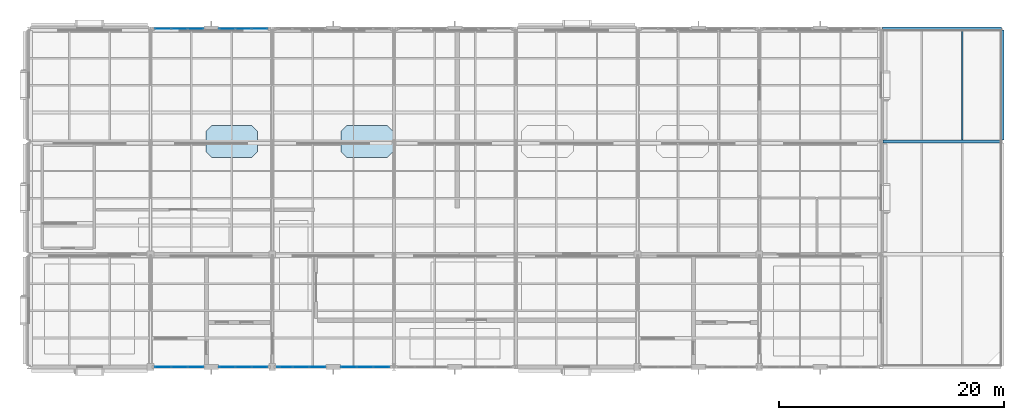
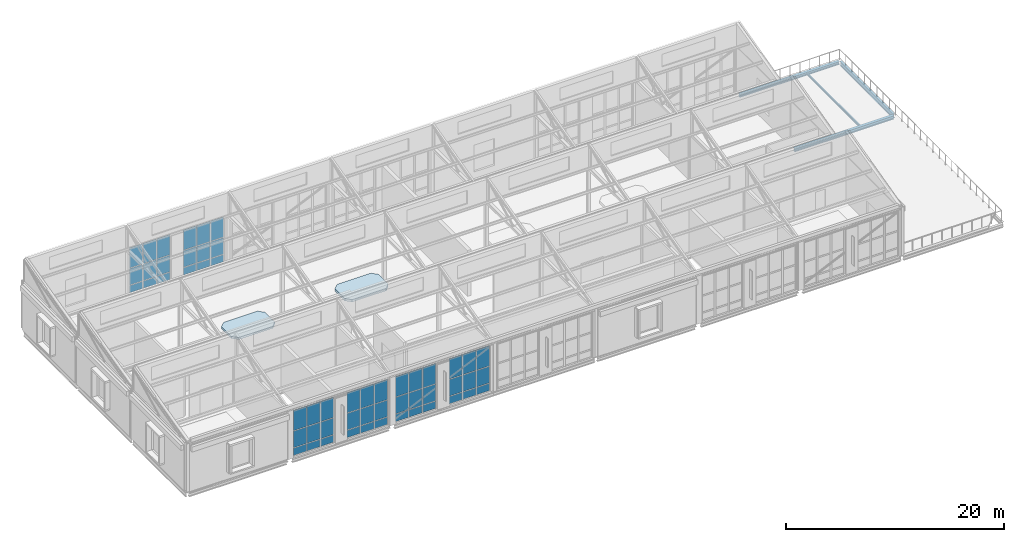
# One storey, part 31 of 49: 54 plates, 4 beams, 2 slabs, 6 elements without a shape of their own.
"""IFC4 building model written with IfcOpenShell, lengths in metres."""

from ifc_helpers import new_model, si_unit, direction, frame, origin, origin_2d, place, context, subcontext, project, spatial, polyline, rectangle, i_section, outline, extrude, material, layer, layer_set, material_profile, profile_set, type_object, element, aggregate, save


model = new_model("IFC4")

# Units and contexts
model_context = context("Model", 3, precision=1e-05, world=origin(), true_north=direction((0.0, 1.0)))
body_context = subcontext(model_context, "Body", "Model", "MODEL_VIEW")
ifc_project = project(units=[si_unit("LENGTHUNIT", "METRE"), si_unit("AREAUNIT", "SQUARE_METRE"), si_unit("VOLUMEUNIT", "CUBIC_METRE"), si_unit("PLANEANGLEUNIT", "RADIAN"), si_unit("MASSUNIT", "GRAM", prefix="KILO")], contexts=[model_context])

# Site, building, storey
site_placement = place(None, origin())
site = spatial("IfcSite", under=ifc_project, at=site_placement, CompositionType="ELEMENT")
building_placement = place(site_placement, origin())
building = spatial("IfcBuilding", under=site, at=building_placement, Name="Tasgan Crest Museum", CompositionType="ELEMENT")
storey_placement = place(building_placement, frame((0.0, 0.0, 28.800048828125)))
storey = spatial("IfcBuildingStorey", under=building, at=storey_placement, Name="L05", CompositionType="ELEMENT", Elevation=28.800048828125)

# Beams
ifc_material_1 = material(Name="Steel S355J2", Category="steel")
ifc_material_profile_1 = material_profile(ifc_material_1, i_section(OverallWidth=0.300048828125, OverallDepth=0.389892578125, WebThickness=0.010986328125, FlangeThickness=0.01904296875, FilletRadius=0.027099609375, at=origin_2d()), Name="HEA 400")
ifc_profile_set_1 = profile_set([ifc_material_profile_1], Name="Steel S355J2")
beam_type_1 = type_object("IfcBeamType", Name="BM-G-HEA400", PredefinedType="BEAM", material=ifc_profile_set_1)
beam_1_placement = place(storey_placement, frame((75.74609375, 102.0, -0.445068359375), z_axis=(1.0, 0.0, 0.0), x_axis=(0.0, 1.0, 0.0)))
element("IfcBeam", 1, at=beam_1_placement, inside=storey, type_object=beam_type_1, Name="Girder L05 L 75.6-86.4", PredefinedType="BEAM", context=body_context, shape_type="SweptSolid", body=[
    extrude(i_section(OverallWidth=0.300048828125, OverallDepth=0.389892578125, WebThickness=0.010986328125, FlangeThickness=0.01904296875, FilletRadius=0.027099609375, at=origin_2d()), origin(), (0.0, 0.0, 1.0), 10.5078125),
])
ifc_material_2 = material(Name="Steel S355J2", Category="steel")
ifc_material_profile_2 = material_profile(ifc_material_2, i_section(OverallWidth=0.300048828125, OverallDepth=0.340087890625, WebThickness=0.011962890625, FlangeThickness=0.021484375, FilletRadius=0.027099609375, at=origin_2d()), Name="HEB 340")
ifc_profile_set_2 = profile_set([ifc_material_profile_2], Name="Steel S355J2")
beam_type_2 = type_object("IfcBeamType", Name="BM-G-HEB340", PredefinedType="BEAM", material=ifc_profile_set_2)
beam_2_placement = place(storey_placement, frame((75.7060546875, 112.0, -0.420166015625), z_axis=(1.0, 0.0, 0.0), x_axis=(0.0, 1.0, 0.0)))
element("IfcBeam", 2, at=beam_2_placement, inside=storey, type_object=beam_type_2, Name="Girder L05 M 75.6-86.4", PredefinedType="BEAM", context=body_context, shape_type="SweptSolid", body=[
    extrude(i_section(OverallWidth=0.300048828125, OverallDepth=0.340087890625, WebThickness=0.011962890625, FlangeThickness=0.021484375, FilletRadius=0.027099609375, at=origin_2d()), origin(), (0.0, 0.0, 1.0), 10.587890625),
])
ifc_material_3 = material(Name="Steel S355J2", Category="steel")
ifc_material_profile_3 = material_profile(ifc_material_3, i_section(OverallWidth=0.199951171875, OverallDepth=0.5, WebThickness=0.01025390625, FlangeThickness=0.01611328125, FilletRadius=0.02099609375, at=origin_2d()), Name="IPE 500")
ifc_profile_set_3 = profile_set([ifc_material_profile_3], Name="Steel S355J2")
beam_type_3 = type_object("IfcBeamType", Name="BM-G-IPE500", PredefinedType="BEAM", material=ifc_profile_set_3)
beam_3_placement = place(storey_placement, frame((86.39990234375, 102.14990234375, -0.5), z_axis=(0.0, 1.0, 0.0), x_axis=(-1.0, 0.0, 0.0)))
element("IfcBeam", 3, at=beam_3_placement, inside=storey, type_object=beam_type_3, Name="Beam L05 9 102.0-112.0", PredefinedType="BEAM", context=body_context, shape_type="SweptSolid", body=[
    extrude(i_section(OverallWidth=0.199951171875, OverallDepth=0.5, WebThickness=0.01025390625, FlangeThickness=0.01611328125, FilletRadius=0.02099609375, at=origin_2d()), origin(), (0.0, 0.0, 1.0), 9.7451171875),
])
ifc_material_4 = material(Name="Steel S355J2", Category="steel")
ifc_material_profile_4 = material_profile(ifc_material_4, i_section(OverallWidth=0.1201171875, OverallDepth=0.239990234375, WebThickness=0.006103515625, FlangeThickness=0.009765625, FilletRadius=0.014892578125, at=origin_2d()), Name="IPE 240")
ifc_profile_set_4 = profile_set([ifc_material_profile_4], Name="Steel S355J2")
beam_type_4 = type_object("IfcBeamType", Name="BM-J-IPE240", PredefinedType="JOIST", material=ifc_profile_set_4)
beam_4_placement = place(storey_placement, frame((82.800048828125, 102.14501953125, -0.3701171875), z_axis=(0.0, 1.0, 0.0), x_axis=(-1.0, 0.0, 0.0)))
element("IfcBeam", 4, at=beam_4_placement, inside=storey, type_object=beam_type_4, Name="Secondary joist L05 X=82.8 Y=102.0-112.0", PredefinedType="JOIST", context=body_context, shape_type="SweptSolid", body=[
    extrude(i_section(OverallWidth=0.1201171875, OverallDepth=0.239990234375, WebThickness=0.006103515625, FlangeThickness=0.009765625, FilletRadius=0.014892578125, at=origin_2d()), origin(), (0.0, 0.0, 1.0), 9.7099609375),
])

# Curtain wall, plates
ifc_material_5 = material(Name="Triple-Glazed Aluminium Curtain Wall", Category="aluminium")
ifc_layer_1 = layer(ifc_material_5, 0.179931640625, Name="CW-CORE-STRIP-54")
ifc_layer_set_1 = layer_set([ifc_layer_1], Name="Triple-Glazed Aluminium Curtain Wall")
curtain_wall_type_1 = type_object("IfcCurtainWallType", Name="CW-CORE-STRIP-54", PredefinedType="NOTDEFINED", material=ifc_layer_set_1)
curtain_wall_1_placement = place(storey_placement, origin())
curtain_wall_1 = element("IfcCurtainWall", 5, at=curtain_wall_1_placement, inside=storey, type_object=curtain_wall_type_1, Name="Curtain wall L05 209", PredefinedType="NOTDEFINED")
ifc_material_6 = material(Name="Insulated Spandrel Glass", Category="glass")
ifc_layer_2 = layer(ifc_material_6, 0.052001953125, Name="CW-PANEL-SPANDREL")
ifc_layer_set_2 = layer_set([ifc_layer_2], Name="Insulated Spandrel Glass")
plate_type_1 = type_object("IfcPlateType", Name="CW-PANEL-SPANDREL", PredefinedType="CURTAIN_PANEL", material=ifc_layer_set_2)
plate_1_placement = place(storey_placement, frame((20.48828125, 112.0, 0.059814453125), z_axis=(0.0, 0.0, 1.0), x_axis=(-1.0, 0.0, 0.0)))
plate_1 = element("IfcPlate", 6, at=plate_1_placement, type_object=plate_type_1, Name="CW21 panel 1.1", PredefinedType="CURTAIN_PANEL", context=body_context, shape_type="SweptSolid", body=[
    extrude(rectangle(XDim=1.373291015625, YDim=0.028076171875, at=origin_2d()), origin(), (0.0, 0.0, 1.0), 0.81005859375),
])
plate_2_placement = place(storey_placement, frame((19.0400390625, 112.0, 0.059814453125), z_axis=(0.0, 0.0, 1.0), x_axis=(-1.0, 0.0, 0.0)))
plate_2 = element("IfcPlate", 7, at=plate_2_placement, type_object=plate_type_1, Name="CW21 panel 2.1", PredefinedType="CURTAIN_PANEL", context=body_context, shape_type="SweptSolid", body=[
    extrude(rectangle(XDim=1.4033203125, YDim=0.028076171875, at=origin_2d()), origin(), (0.0, 0.0, 1.0), 0.81005859375),
])
plate_3_placement = place(storey_placement, frame((17.591552734375, 112.0, 0.059814453125), z_axis=(0.0, 0.0, 1.0), x_axis=(-1.0, 0.0, 0.0)))
plate_3 = element("IfcPlate", 8, at=plate_3_placement, type_object=plate_type_1, Name="CW21 panel 3.1", PredefinedType="CURTAIN_PANEL", context=body_context, shape_type="SweptSolid", body=[
    extrude(rectangle(XDim=1.373291015625, YDim=0.028076171875, at=origin_2d()), origin(), (0.0, 0.0, 1.0), 0.81005859375),
])

curtain_wall_2_placement = place(storey_placement, origin())
curtain_wall_2 = element("IfcCurtainWall", 9, at=curtain_wall_2_placement, inside=storey, type_object=curtain_wall_type_1, Name="Curtain wall L05 210", PredefinedType="NOTDEFINED")
plate_4_placement = place(storey_placement, frame((14.808349609375, 112.0, 0.059814453125), z_axis=(0.0, 0.0, 1.0), x_axis=(-1.0, 0.0, 0.0)))
plate_4 = element("IfcPlate", 10, at=plate_4_placement, type_object=plate_type_1, Name="CW21 panel 1.1", PredefinedType="CURTAIN_PANEL", context=body_context, shape_type="SweptSolid", body=[
    extrude(rectangle(XDim=1.373291015625, YDim=0.028076171875, at=origin_2d()), origin(), (0.0, 0.0, 1.0), 0.81005859375),
])
plate_5_placement = place(storey_placement, frame((13.360107421875, 112.0, 0.059814453125), z_axis=(0.0, 0.0, 1.0), x_axis=(-1.0, 0.0, 0.0)))
plate_5 = element("IfcPlate", 11, at=plate_5_placement, type_object=plate_type_1, Name="CW21 panel 2.1", PredefinedType="CURTAIN_PANEL", context=body_context, shape_type="SweptSolid", body=[
    extrude(rectangle(XDim=1.4033203125, YDim=0.028076171875, at=origin_2d()), origin(), (0.0, 0.0, 1.0), 0.81005859375),
])
plate_6_placement = place(storey_placement, frame((11.91162109375, 112.0, 0.059814453125), z_axis=(0.0, 0.0, 1.0), x_axis=(-1.0, 0.0, 0.0)))
plate_6 = element("IfcPlate", 12, at=plate_6_placement, type_object=plate_type_1, Name="CW21 panel 3.1", PredefinedType="CURTAIN_PANEL", context=body_context, shape_type="SweptSolid", body=[
    extrude(rectangle(XDim=1.373291015625, YDim=0.028076171875, at=origin_2d()), origin(), (0.0, 0.0, 1.0), 0.81005859375),
])

curtain_wall_3_placement = place(storey_placement, origin())
curtain_wall_3 = element("IfcCurtainWall", 13, at=curtain_wall_3_placement, inside=storey, type_object=curtain_wall_type_1, Name="Curtain wall L05 211", PredefinedType="NOTDEFINED")
plate_7_placement = place(storey_placement, frame((11.91162109375, 82.0, 0.059814453125), z_axis=(0.0, 0.0, 1.0), x_axis=(1.0, 0.0, 0.0)))
plate_7 = element("IfcPlate", 14, at=plate_7_placement, type_object=plate_type_1, Name="CW21 panel 1.1", PredefinedType="CURTAIN_PANEL", context=body_context, shape_type="SweptSolid", body=[
    extrude(rectangle(XDim=1.373291015625, YDim=0.028076171875, at=origin_2d()), origin(), (0.0, 0.0, 1.0), 0.81005859375),
])
plate_8_placement = place(storey_placement, frame((13.360107421875, 82.0, 0.059814453125), z_axis=(0.0, 0.0, 1.0), x_axis=(1.0, 0.0, 0.0)))
plate_8 = element("IfcPlate", 15, at=plate_8_placement, type_object=plate_type_1, Name="CW21 panel 2.1", PredefinedType="CURTAIN_PANEL", context=body_context, shape_type="SweptSolid", body=[
    extrude(rectangle(XDim=1.4033203125, YDim=0.028076171875, at=origin_2d()), origin(), (0.0, 0.0, 1.0), 0.81005859375),
])
plate_9_placement = place(storey_placement, frame((14.808349609375, 82.0, 0.059814453125), z_axis=(0.0, 0.0, 1.0), x_axis=(1.0, 0.0, 0.0)))
plate_9 = element("IfcPlate", 16, at=plate_9_placement, type_object=plate_type_1, Name="CW21 panel 3.1", PredefinedType="CURTAIN_PANEL", context=body_context, shape_type="SweptSolid", body=[
    extrude(rectangle(XDim=1.373291015625, YDim=0.028076171875, at=origin_2d()), origin(), (0.0, 0.0, 1.0), 0.81005859375),
])

curtain_wall_4_placement = place(storey_placement, origin())
curtain_wall_4 = element("IfcCurtainWall", 17, at=curtain_wall_4_placement, inside=storey, type_object=curtain_wall_type_1, Name="Curtain wall L05 212", PredefinedType="NOTDEFINED")
plate_10_placement = place(storey_placement, frame((17.591552734375, 82.0, 0.059814453125), z_axis=(0.0, 0.0, 1.0), x_axis=(1.0, 0.0, 0.0)))
plate_10 = element("IfcPlate", 18, at=plate_10_placement, type_object=plate_type_1, Name="CW21 panel 1.1", PredefinedType="CURTAIN_PANEL", context=body_context, shape_type="SweptSolid", body=[
    extrude(rectangle(XDim=1.373291015625, YDim=0.028076171875, at=origin_2d()), origin(), (0.0, 0.0, 1.0), 0.81005859375),
])
plate_11_placement = place(storey_placement, frame((19.0400390625, 82.0, 0.059814453125), z_axis=(0.0, 0.0, 1.0), x_axis=(1.0, 0.0, 0.0)))
plate_11 = element("IfcPlate", 19, at=plate_11_placement, type_object=plate_type_1, Name="CW21 panel 2.1", PredefinedType="CURTAIN_PANEL", context=body_context, shape_type="SweptSolid", body=[
    extrude(rectangle(XDim=1.4033203125, YDim=0.028076171875, at=origin_2d()), origin(), (0.0, 0.0, 1.0), 0.81005859375),
])
plate_12_placement = place(storey_placement, frame((20.48828125, 82.0, 0.059814453125), z_axis=(0.0, 0.0, 1.0), x_axis=(1.0, 0.0, 0.0)))
plate_12 = element("IfcPlate", 20, at=plate_12_placement, type_object=plate_type_1, Name="CW21 panel 3.1", PredefinedType="CURTAIN_PANEL", context=body_context, shape_type="SweptSolid", body=[
    extrude(rectangle(XDim=1.373291015625, YDim=0.028076171875, at=origin_2d()), origin(), (0.0, 0.0, 1.0), 0.81005859375),
])

ifc_material_7 = material(Name="Triple-Glazed Aluminium Curtain Wall", Category="aluminium")
ifc_layer_3 = layer(ifc_material_7, 0.179931640625, Name="CW-GAL-X-54")
ifc_layer_set_3 = layer_set([ifc_layer_3], Name="Triple-Glazed Aluminium Curtain Wall")
curtain_wall_type_2 = type_object("IfcCurtainWallType", Name="CW-GAL-X-54", PredefinedType="NOTDEFINED", material=ifc_layer_set_3)
curtain_wall_5_placement = place(storey_placement, origin())
curtain_wall_5 = element("IfcCurtainWall", 21, at=curtain_wall_5_placement, inside=storey, type_object=curtain_wall_type_2, Name="Curtain wall L05 213", PredefinedType="NOTDEFINED")
plate_13_placement = place(storey_placement, frame((22.711669921875, 82.0, 0.059814453125), z_axis=(0.0, 0.0, 1.0), x_axis=(1.0, 0.0, 0.0)))
plate_13 = element("IfcPlate", 22, at=plate_13_placement, type_object=plate_type_1, Name="CW15 panel 1.1", PredefinedType="CURTAIN_PANEL", context=body_context, shape_type="SweptSolid", body=[
    extrude(rectangle(XDim=1.373291015625, YDim=0.028076171875, at=origin_2d()), origin(), (0.0, 0.0, 1.0), 0.81005859375),
])
plate_14_placement = place(storey_placement, frame((24.159912109375, 82.0, 0.059814453125), z_axis=(0.0, 0.0, 1.0), x_axis=(1.0, 0.0, 0.0)))
plate_14 = element("IfcPlate", 23, at=plate_14_placement, type_object=plate_type_1, Name="CW15 panel 2.1", PredefinedType="CURTAIN_PANEL", context=body_context, shape_type="SweptSolid", body=[
    extrude(rectangle(XDim=1.4033203125, YDim=0.028076171875, at=origin_2d()), origin(), (0.0, 0.0, 1.0), 0.81005859375),
])
plate_15_placement = place(storey_placement, frame((25.6083984375, 82.0, 0.059814453125), z_axis=(0.0, 0.0, 1.0), x_axis=(1.0, 0.0, 0.0)))
plate_15 = element("IfcPlate", 24, at=plate_15_placement, type_object=plate_type_1, Name="CW15 panel 3.1", PredefinedType="CURTAIN_PANEL", context=body_context, shape_type="SweptSolid", body=[
    extrude(rectangle(XDim=1.373291015625, YDim=0.028076171875, at=origin_2d()), origin(), (0.0, 0.0, 1.0), 0.81005859375),
])

curtain_wall_6_placement = place(storey_placement, origin())
curtain_wall_6 = element("IfcCurtainWall", 25, at=curtain_wall_6_placement, inside=storey, type_object=curtain_wall_type_2, Name="Curtain wall L05 214", PredefinedType="NOTDEFINED")
plate_16_placement = place(storey_placement, frame((28.3916015625, 82.0, 0.059814453125), z_axis=(0.0, 0.0, 1.0), x_axis=(1.0, 0.0, 0.0)))
plate_16 = element("IfcPlate", 26, at=plate_16_placement, type_object=plate_type_1, Name="CW15 panel 1.1", PredefinedType="CURTAIN_PANEL", context=body_context, shape_type="SweptSolid", body=[
    extrude(rectangle(XDim=1.373291015625, YDim=0.028076171875, at=origin_2d()), origin(), (0.0, 0.0, 1.0), 0.81005859375),
])
plate_17_placement = place(storey_placement, frame((29.840087890625, 82.0, 0.059814453125), z_axis=(0.0, 0.0, 1.0), x_axis=(1.0, 0.0, 0.0)))
plate_17 = element("IfcPlate", 27, at=plate_17_placement, type_object=plate_type_1, Name="CW15 panel 2.1", PredefinedType="CURTAIN_PANEL", context=body_context, shape_type="SweptSolid", body=[
    extrude(rectangle(XDim=1.4033203125, YDim=0.028076171875, at=origin_2d()), origin(), (0.0, 0.0, 1.0), 0.81005859375),
])
plate_18_placement = place(storey_placement, frame((31.288330078125, 82.0, 0.059814453125), z_axis=(0.0, 0.0, 1.0), x_axis=(1.0, 0.0, 0.0)))
plate_18 = element("IfcPlate", 28, at=plate_18_placement, type_object=plate_type_1, Name="CW15 panel 3.1", PredefinedType="CURTAIN_PANEL", context=body_context, shape_type="SweptSolid", body=[
    extrude(rectangle(XDim=1.373291015625, YDim=0.028076171875, at=origin_2d()), origin(), (0.0, 0.0, 1.0), 0.81005859375),
])

# Plate
ifc_material_8 = material(Name="Low-E Triple Glazing", Category="glass")
ifc_layer_4 = layer(ifc_material_8, 0.0439453125, Name="CW-PANEL-TRIPLE")
ifc_layer_set_4 = layer_set([ifc_layer_4], Name="Low-E Triple Glazing")
plate_type_2 = type_object("IfcPlateType", Name="CW-PANEL-TRIPLE", PredefinedType="CURTAIN_PANEL", material=ifc_layer_set_4)
plate_19_placement = place(storey_placement, frame((20.48828125, 112.0, 0.9296875), z_axis=(0.0, 0.0, 1.0), x_axis=(-1.0, 0.0, 0.0)))
plate_19 = element("IfcPlate", 29, at=plate_19_placement, type_object=plate_type_2, Name="CW21 panel 1.2", PredefinedType="CURTAIN_PANEL", context=body_context, shape_type="SweptSolid", body=[
    extrude(rectangle(XDim=1.373291015625, YDim=0.028076171875, at=origin_2d()), origin(), (0.0, 0.0, 1.0), 1.840087890625),
])

plate_20_placement = place(storey_placement, frame((20.48828125, 112.0, 2.829833984375), z_axis=(0.0, 0.0, 1.0), x_axis=(-1.0, 0.0, 0.0)))
plate_20 = element("IfcPlate", 30, at=plate_20_placement, type_object=plate_type_2, Name="CW21 panel 1.3", PredefinedType="CURTAIN_PANEL", context=body_context, shape_type="SweptSolid", body=[
    extrude(rectangle(XDim=1.373291015625, YDim=0.028076171875, at=origin_2d()), origin(), (0.0, 0.0, 1.0), 2.27001953125),
])

plate_21_placement = place(storey_placement, frame((19.0400390625, 112.0, 0.9296875), z_axis=(0.0, 0.0, 1.0), x_axis=(-1.0, 0.0, 0.0)))
plate_21 = element("IfcPlate", 31, at=plate_21_placement, type_object=plate_type_2, Name="CW21 panel 2.2", PredefinedType="CURTAIN_PANEL", context=body_context, shape_type="SweptSolid", body=[
    extrude(rectangle(XDim=1.4033203125, YDim=0.028076171875, at=origin_2d()), origin(), (0.0, 0.0, 1.0), 1.840087890625),
])

plate_22_placement = place(storey_placement, frame((19.0400390625, 112.0, 2.829833984375), z_axis=(0.0, 0.0, 1.0), x_axis=(-1.0, 0.0, 0.0)))
plate_22 = element("IfcPlate", 32, at=plate_22_placement, type_object=plate_type_2, Name="CW21 panel 2.3", PredefinedType="CURTAIN_PANEL", context=body_context, shape_type="SweptSolid", body=[
    extrude(rectangle(XDim=1.4033203125, YDim=0.028076171875, at=origin_2d()), origin(), (0.0, 0.0, 1.0), 2.27001953125),
])

plate_23_placement = place(storey_placement, frame((17.591552734375, 112.0, 0.9296875), z_axis=(0.0, 0.0, 1.0), x_axis=(-1.0, 0.0, 0.0)))
plate_23 = element("IfcPlate", 33, at=plate_23_placement, type_object=plate_type_2, Name="CW21 panel 3.2", PredefinedType="CURTAIN_PANEL", context=body_context, shape_type="SweptSolid", body=[
    extrude(rectangle(XDim=1.373291015625, YDim=0.028076171875, at=origin_2d()), origin(), (0.0, 0.0, 1.0), 1.840087890625),
])

plate_24_placement = place(storey_placement, frame((17.591552734375, 112.0, 2.829833984375), z_axis=(0.0, 0.0, 1.0), x_axis=(-1.0, 0.0, 0.0)))
plate_24 = element("IfcPlate", 34, at=plate_24_placement, type_object=plate_type_2, Name="CW21 panel 3.3", PredefinedType="CURTAIN_PANEL", context=body_context, shape_type="SweptSolid", body=[
    extrude(rectangle(XDim=1.373291015625, YDim=0.028076171875, at=origin_2d()), origin(), (0.0, 0.0, 1.0), 2.27001953125),
])

aggregate(curtain_wall_1, [plate_1, plate_19, plate_20, plate_2, plate_21, plate_22, plate_3, plate_23, plate_24])

plate_25_placement = place(storey_placement, frame((14.808349609375, 112.0, 0.9296875), z_axis=(0.0, 0.0, 1.0), x_axis=(-1.0, 0.0, 0.0)))
plate_25 = element("IfcPlate", 35, at=plate_25_placement, type_object=plate_type_2, Name="CW21 panel 1.2", PredefinedType="CURTAIN_PANEL", context=body_context, shape_type="SweptSolid", body=[
    extrude(rectangle(XDim=1.373291015625, YDim=0.028076171875, at=origin_2d()), origin(), (0.0, 0.0, 1.0), 1.840087890625),
])

plate_26_placement = place(storey_placement, frame((14.808349609375, 112.0, 2.829833984375), z_axis=(0.0, 0.0, 1.0), x_axis=(-1.0, 0.0, 0.0)))
plate_26 = element("IfcPlate", 36, at=plate_26_placement, type_object=plate_type_2, Name="CW21 panel 1.3", PredefinedType="CURTAIN_PANEL", context=body_context, shape_type="SweptSolid", body=[
    extrude(rectangle(XDim=1.373291015625, YDim=0.028076171875, at=origin_2d()), origin(), (0.0, 0.0, 1.0), 2.27001953125),
])

plate_27_placement = place(storey_placement, frame((13.360107421875, 112.0, 0.9296875), z_axis=(0.0, 0.0, 1.0), x_axis=(-1.0, 0.0, 0.0)))
plate_27 = element("IfcPlate", 37, at=plate_27_placement, type_object=plate_type_2, Name="CW21 panel 2.2", PredefinedType="CURTAIN_PANEL", context=body_context, shape_type="SweptSolid", body=[
    extrude(rectangle(XDim=1.4033203125, YDim=0.028076171875, at=origin_2d()), origin(), (0.0, 0.0, 1.0), 1.840087890625),
])

plate_28_placement = place(storey_placement, frame((13.360107421875, 112.0, 2.829833984375), z_axis=(0.0, 0.0, 1.0), x_axis=(-1.0, 0.0, 0.0)))
plate_28 = element("IfcPlate", 38, at=plate_28_placement, type_object=plate_type_2, Name="CW21 panel 2.3", PredefinedType="CURTAIN_PANEL", context=body_context, shape_type="SweptSolid", body=[
    extrude(rectangle(XDim=1.4033203125, YDim=0.028076171875, at=origin_2d()), origin(), (0.0, 0.0, 1.0), 2.27001953125),
])

plate_29_placement = place(storey_placement, frame((11.91162109375, 112.0, 0.9296875), z_axis=(0.0, 0.0, 1.0), x_axis=(-1.0, 0.0, 0.0)))
plate_29 = element("IfcPlate", 39, at=plate_29_placement, type_object=plate_type_2, Name="CW21 panel 3.2", PredefinedType="CURTAIN_PANEL", context=body_context, shape_type="SweptSolid", body=[
    extrude(rectangle(XDim=1.373291015625, YDim=0.028076171875, at=origin_2d()), origin(), (0.0, 0.0, 1.0), 1.840087890625),
])

plate_30_placement = place(storey_placement, frame((11.91162109375, 112.0, 2.829833984375), z_axis=(0.0, 0.0, 1.0), x_axis=(-1.0, 0.0, 0.0)))
plate_30 = element("IfcPlate", 40, at=plate_30_placement, type_object=plate_type_2, Name="CW21 panel 3.3", PredefinedType="CURTAIN_PANEL", context=body_context, shape_type="SweptSolid", body=[
    extrude(rectangle(XDim=1.373291015625, YDim=0.028076171875, at=origin_2d()), origin(), (0.0, 0.0, 1.0), 2.27001953125),
])

aggregate(curtain_wall_2, [plate_4, plate_25, plate_26, plate_5, plate_27, plate_28, plate_6, plate_29, plate_30])

plate_31_placement = place(storey_placement, frame((11.91162109375, 82.0, 0.9296875), z_axis=(0.0, 0.0, 1.0), x_axis=(1.0, 0.0, 0.0)))
plate_31 = element("IfcPlate", 41, at=plate_31_placement, type_object=plate_type_2, Name="CW21 panel 1.2", PredefinedType="CURTAIN_PANEL", context=body_context, shape_type="SweptSolid", body=[
    extrude(rectangle(XDim=1.373291015625, YDim=0.028076171875, at=origin_2d()), origin(), (0.0, 0.0, 1.0), 1.840087890625),
])

plate_32_placement = place(storey_placement, frame((11.91162109375, 82.0, 2.829833984375), z_axis=(0.0, 0.0, 1.0), x_axis=(1.0, 0.0, 0.0)))
plate_32 = element("IfcPlate", 42, at=plate_32_placement, type_object=plate_type_2, Name="CW21 panel 1.3", PredefinedType="CURTAIN_PANEL", context=body_context, shape_type="SweptSolid", body=[
    extrude(rectangle(XDim=1.373291015625, YDim=0.028076171875, at=origin_2d()), origin(), (0.0, 0.0, 1.0), 2.27001953125),
])

plate_33_placement = place(storey_placement, frame((13.360107421875, 82.0, 0.9296875), z_axis=(0.0, 0.0, 1.0), x_axis=(1.0, 0.0, 0.0)))
plate_33 = element("IfcPlate", 43, at=plate_33_placement, type_object=plate_type_2, Name="CW21 panel 2.2", PredefinedType="CURTAIN_PANEL", context=body_context, shape_type="SweptSolid", body=[
    extrude(rectangle(XDim=1.4033203125, YDim=0.028076171875, at=origin_2d()), origin(), (0.0, 0.0, 1.0), 1.840087890625),
])

plate_34_placement = place(storey_placement, frame((13.360107421875, 82.0, 2.829833984375), z_axis=(0.0, 0.0, 1.0), x_axis=(1.0, 0.0, 0.0)))
plate_34 = element("IfcPlate", 44, at=plate_34_placement, type_object=plate_type_2, Name="CW21 panel 2.3", PredefinedType="CURTAIN_PANEL", context=body_context, shape_type="SweptSolid", body=[
    extrude(rectangle(XDim=1.4033203125, YDim=0.028076171875, at=origin_2d()), origin(), (0.0, 0.0, 1.0), 2.27001953125),
])

plate_35_placement = place(storey_placement, frame((14.808349609375, 82.0, 0.9296875), z_axis=(0.0, 0.0, 1.0), x_axis=(1.0, 0.0, 0.0)))
plate_35 = element("IfcPlate", 45, at=plate_35_placement, type_object=plate_type_2, Name="CW21 panel 3.2", PredefinedType="CURTAIN_PANEL", context=body_context, shape_type="SweptSolid", body=[
    extrude(rectangle(XDim=1.373291015625, YDim=0.028076171875, at=origin_2d()), origin(), (0.0, 0.0, 1.0), 1.840087890625),
])

plate_36_placement = place(storey_placement, frame((14.808349609375, 82.0, 2.829833984375), z_axis=(0.0, 0.0, 1.0), x_axis=(1.0, 0.0, 0.0)))
plate_36 = element("IfcPlate", 46, at=plate_36_placement, type_object=plate_type_2, Name="CW21 panel 3.3", PredefinedType="CURTAIN_PANEL", context=body_context, shape_type="SweptSolid", body=[
    extrude(rectangle(XDim=1.373291015625, YDim=0.028076171875, at=origin_2d()), origin(), (0.0, 0.0, 1.0), 2.27001953125),
])

aggregate(curtain_wall_3, [plate_7, plate_31, plate_32, plate_8, plate_33, plate_34, plate_9, plate_35, plate_36])

plate_37_placement = place(storey_placement, frame((17.591552734375, 82.0, 0.9296875), z_axis=(0.0, 0.0, 1.0), x_axis=(1.0, 0.0, 0.0)))
plate_37 = element("IfcPlate", 47, at=plate_37_placement, type_object=plate_type_2, Name="CW21 panel 1.2", PredefinedType="CURTAIN_PANEL", context=body_context, shape_type="SweptSolid", body=[
    extrude(rectangle(XDim=1.373291015625, YDim=0.028076171875, at=origin_2d()), origin(), (0.0, 0.0, 1.0), 1.840087890625),
])

plate_38_placement = place(storey_placement, frame((17.591552734375, 82.0, 2.829833984375), z_axis=(0.0, 0.0, 1.0), x_axis=(1.0, 0.0, 0.0)))
plate_38 = element("IfcPlate", 48, at=plate_38_placement, type_object=plate_type_2, Name="CW21 panel 1.3", PredefinedType="CURTAIN_PANEL", context=body_context, shape_type="SweptSolid", body=[
    extrude(rectangle(XDim=1.373291015625, YDim=0.028076171875, at=origin_2d()), origin(), (0.0, 0.0, 1.0), 2.27001953125),
])

plate_39_placement = place(storey_placement, frame((19.0400390625, 82.0, 0.9296875), z_axis=(0.0, 0.0, 1.0), x_axis=(1.0, 0.0, 0.0)))
plate_39 = element("IfcPlate", 49, at=plate_39_placement, type_object=plate_type_2, Name="CW21 panel 2.2", PredefinedType="CURTAIN_PANEL", context=body_context, shape_type="SweptSolid", body=[
    extrude(rectangle(XDim=1.4033203125, YDim=0.028076171875, at=origin_2d()), origin(), (0.0, 0.0, 1.0), 1.840087890625),
])

plate_40_placement = place(storey_placement, frame((19.0400390625, 82.0, 2.829833984375), z_axis=(0.0, 0.0, 1.0), x_axis=(1.0, 0.0, 0.0)))
plate_40 = element("IfcPlate", 50, at=plate_40_placement, type_object=plate_type_2, Name="CW21 panel 2.3", PredefinedType="CURTAIN_PANEL", context=body_context, shape_type="SweptSolid", body=[
    extrude(rectangle(XDim=1.4033203125, YDim=0.028076171875, at=origin_2d()), origin(), (0.0, 0.0, 1.0), 2.27001953125),
])

plate_41_placement = place(storey_placement, frame((20.48828125, 82.0, 0.9296875), z_axis=(0.0, 0.0, 1.0), x_axis=(1.0, 0.0, 0.0)))
plate_41 = element("IfcPlate", 51, at=plate_41_placement, type_object=plate_type_2, Name="CW21 panel 3.2", PredefinedType="CURTAIN_PANEL", context=body_context, shape_type="SweptSolid", body=[
    extrude(rectangle(XDim=1.373291015625, YDim=0.028076171875, at=origin_2d()), origin(), (0.0, 0.0, 1.0), 1.840087890625),
])

plate_42_placement = place(storey_placement, frame((20.48828125, 82.0, 2.829833984375), z_axis=(0.0, 0.0, 1.0), x_axis=(1.0, 0.0, 0.0)))
plate_42 = element("IfcPlate", 52, at=plate_42_placement, type_object=plate_type_2, Name="CW21 panel 3.3", PredefinedType="CURTAIN_PANEL", context=body_context, shape_type="SweptSolid", body=[
    extrude(rectangle(XDim=1.373291015625, YDim=0.028076171875, at=origin_2d()), origin(), (0.0, 0.0, 1.0), 2.27001953125),
])

aggregate(curtain_wall_4, [plate_10, plate_37, plate_38, plate_11, plate_39, plate_40, plate_12, plate_41, plate_42])

plate_43_placement = place(storey_placement, frame((22.711669921875, 82.0, 0.9296875), z_axis=(0.0, 0.0, 1.0), x_axis=(1.0, 0.0, 0.0)))
plate_43 = element("IfcPlate", 53, at=plate_43_placement, type_object=plate_type_2, Name="CW15 panel 1.2", PredefinedType="CURTAIN_PANEL", context=body_context, shape_type="SweptSolid", body=[
    extrude(rectangle(XDim=1.373291015625, YDim=0.028076171875, at=origin_2d()), origin(), (0.0, 0.0, 1.0), 1.840087890625),
])

plate_44_placement = place(storey_placement, frame((22.711669921875, 82.0, 2.829833984375), z_axis=(0.0, 0.0, 1.0), x_axis=(1.0, 0.0, 0.0)))
plate_44 = element("IfcPlate", 54, at=plate_44_placement, type_object=plate_type_2, Name="CW15 panel 1.3", PredefinedType="CURTAIN_PANEL", context=body_context, shape_type="SweptSolid", body=[
    extrude(rectangle(XDim=1.373291015625, YDim=0.028076171875, at=origin_2d()), origin(), (0.0, 0.0, 1.0), 2.27001953125),
])

plate_45_placement = place(storey_placement, frame((24.159912109375, 82.0, 0.9296875), z_axis=(0.0, 0.0, 1.0), x_axis=(1.0, 0.0, 0.0)))
plate_45 = element("IfcPlate", 55, at=plate_45_placement, type_object=plate_type_2, Name="CW15 panel 2.2", PredefinedType="CURTAIN_PANEL", context=body_context, shape_type="SweptSolid", body=[
    extrude(rectangle(XDim=1.4033203125, YDim=0.028076171875, at=origin_2d()), origin(), (0.0, 0.0, 1.0), 1.840087890625),
])

plate_46_placement = place(storey_placement, frame((24.159912109375, 82.0, 2.829833984375), z_axis=(0.0, 0.0, 1.0), x_axis=(1.0, 0.0, 0.0)))
plate_46 = element("IfcPlate", 56, at=plate_46_placement, type_object=plate_type_2, Name="CW15 panel 2.3", PredefinedType="CURTAIN_PANEL", context=body_context, shape_type="SweptSolid", body=[
    extrude(rectangle(XDim=1.4033203125, YDim=0.028076171875, at=origin_2d()), origin(), (0.0, 0.0, 1.0), 2.27001953125),
])

plate_47_placement = place(storey_placement, frame((25.6083984375, 82.0, 0.9296875), z_axis=(0.0, 0.0, 1.0), x_axis=(1.0, 0.0, 0.0)))
plate_47 = element("IfcPlate", 57, at=plate_47_placement, type_object=plate_type_2, Name="CW15 panel 3.2", PredefinedType="CURTAIN_PANEL", context=body_context, shape_type="SweptSolid", body=[
    extrude(rectangle(XDim=1.373291015625, YDim=0.028076171875, at=origin_2d()), origin(), (0.0, 0.0, 1.0), 1.840087890625),
])

plate_48_placement = place(storey_placement, frame((25.6083984375, 82.0, 2.829833984375), z_axis=(0.0, 0.0, 1.0), x_axis=(1.0, 0.0, 0.0)))
plate_48 = element("IfcPlate", 58, at=plate_48_placement, type_object=plate_type_2, Name="CW15 panel 3.3", PredefinedType="CURTAIN_PANEL", context=body_context, shape_type="SweptSolid", body=[
    extrude(rectangle(XDim=1.373291015625, YDim=0.028076171875, at=origin_2d()), origin(), (0.0, 0.0, 1.0), 2.27001953125),
])

aggregate(curtain_wall_5, [plate_13, plate_43, plate_44, plate_14, plate_45, plate_46, plate_15, plate_47, plate_48])

plate_49_placement = place(storey_placement, frame((28.3916015625, 82.0, 0.9296875), z_axis=(0.0, 0.0, 1.0), x_axis=(1.0, 0.0, 0.0)))
plate_49 = element("IfcPlate", 59, at=plate_49_placement, type_object=plate_type_2, Name="CW15 panel 1.2", PredefinedType="CURTAIN_PANEL", context=body_context, shape_type="SweptSolid", body=[
    extrude(rectangle(XDim=1.373291015625, YDim=0.028076171875, at=origin_2d()), origin(), (0.0, 0.0, 1.0), 1.840087890625),
])

plate_50_placement = place(storey_placement, frame((28.3916015625, 82.0, 2.829833984375), z_axis=(0.0, 0.0, 1.0), x_axis=(1.0, 0.0, 0.0)))
plate_50 = element("IfcPlate", 60, at=plate_50_placement, type_object=plate_type_2, Name="CW15 panel 1.3", PredefinedType="CURTAIN_PANEL", context=body_context, shape_type="SweptSolid", body=[
    extrude(rectangle(XDim=1.373291015625, YDim=0.028076171875, at=origin_2d()), origin(), (0.0, 0.0, 1.0), 2.27001953125),
])

plate_51_placement = place(storey_placement, frame((29.840087890625, 82.0, 0.9296875), z_axis=(0.0, 0.0, 1.0), x_axis=(1.0, 0.0, 0.0)))
plate_51 = element("IfcPlate", 61, at=plate_51_placement, type_object=plate_type_2, Name="CW15 panel 2.2", PredefinedType="CURTAIN_PANEL", context=body_context, shape_type="SweptSolid", body=[
    extrude(rectangle(XDim=1.4033203125, YDim=0.028076171875, at=origin_2d()), origin(), (0.0, 0.0, 1.0), 1.840087890625),
])

plate_52_placement = place(storey_placement, frame((29.840087890625, 82.0, 2.829833984375), z_axis=(0.0, 0.0, 1.0), x_axis=(1.0, 0.0, 0.0)))
plate_52 = element("IfcPlate", 62, at=plate_52_placement, type_object=plate_type_2, Name="CW15 panel 2.3", PredefinedType="CURTAIN_PANEL", context=body_context, shape_type="SweptSolid", body=[
    extrude(rectangle(XDim=1.4033203125, YDim=0.028076171875, at=origin_2d()), origin(), (0.0, 0.0, 1.0), 2.27001953125),
])

plate_53_placement = place(storey_placement, frame((31.288330078125, 82.0, 0.9296875), z_axis=(0.0, 0.0, 1.0), x_axis=(1.0, 0.0, 0.0)))
plate_53 = element("IfcPlate", 63, at=plate_53_placement, type_object=plate_type_2, Name="CW15 panel 3.2", PredefinedType="CURTAIN_PANEL", context=body_context, shape_type="SweptSolid", body=[
    extrude(rectangle(XDim=1.373291015625, YDim=0.028076171875, at=origin_2d()), origin(), (0.0, 0.0, 1.0), 1.840087890625),
])

plate_54_placement = place(storey_placement, frame((31.288330078125, 82.0, 2.829833984375), z_axis=(0.0, 0.0, 1.0), x_axis=(1.0, 0.0, 0.0)))
plate_54 = element("IfcPlate", 64, at=plate_54_placement, type_object=plate_type_2, Name="CW15 panel 3.3", PredefinedType="CURTAIN_PANEL", context=body_context, shape_type="SweptSolid", body=[
    extrude(rectangle(XDim=1.373291015625, YDim=0.028076171875, at=origin_2d()), origin(), (0.0, 0.0, 1.0), 2.27001953125),
])

aggregate(curtain_wall_6, [plate_16, plate_49, plate_50, plate_17, plate_51, plate_52, plate_18, plate_53, plate_54])

# Slabs
ifc_material_9 = material(Name="Concrete C35/45", Category="concrete")
ifc_layer_5 = layer(ifc_material_9, 0.22998046875, Name="SL-DAIS-T07")
ifc_layer_set_5 = layer_set([ifc_layer_5], Name="Concrete C35/45")
slab_type_1 = type_object("IfcSlabType", Name="SL-DAIS-T07", PredefinedType="FLOOR", material=ifc_layer_set_5)
slab_1_placement = place(storey_placement, origin())
element("IfcSlab", 65, at=slab_1_placement, inside=storey, type_object=slab_type_1, Name="Exhibition specimen dais L05-37", PredefinedType="FLOOR", context=body_context, shape_type="SweptSolid", body=[
    extrude(outline(polyline([(16.199951171875, 100.60009765625), (19.800048828125, 100.60009765625), (20.300048828125, 101.10009765625), (20.300048828125, 102.89990234375), (19.800048828125, 103.39990234375), (16.199951171875, 103.39990234375), (15.699951171875, 102.89990234375), (15.699951171875, 101.10009765625), (16.199951171875, 100.60009765625)])), origin(), (0.0, 0.0, 1.0), 0.22998046875),
])
ifc_material_10 = material(Name="Concrete C35/45", Category="concrete")
ifc_layer_6 = layer(ifc_material_10, 0.27001953125, Name="SL-DAIS-T08")
ifc_layer_set_6 = layer_set([ifc_layer_6], Name="Concrete C35/45")
slab_type_2 = type_object("IfcSlabType", Name="SL-DAIS-T08", PredefinedType="FLOOR", material=ifc_layer_set_6)
slab_2_placement = place(storey_placement, origin())
element("IfcSlab", 66, at=slab_2_placement, inside=storey, type_object=slab_type_2, Name="Exhibition specimen dais L05-38", PredefinedType="FLOOR", context=body_context, shape_type="SweptSolid", body=[
    extrude(outline(polyline([(28.199951171875, 100.60009765625), (31.800048828125, 100.60009765625), (32.300048828125, 101.10009765625), (32.300048828125, 102.89990234375), (31.800048828125, 103.39990234375), (28.199951171875, 103.39990234375), (27.699951171875, 102.89990234375), (27.699951171875, 101.10009765625), (28.199951171875, 100.60009765625)])), origin(), (0.0, 0.0, 1.0), 0.27001953125),
])

save(model, "model.ifc")
